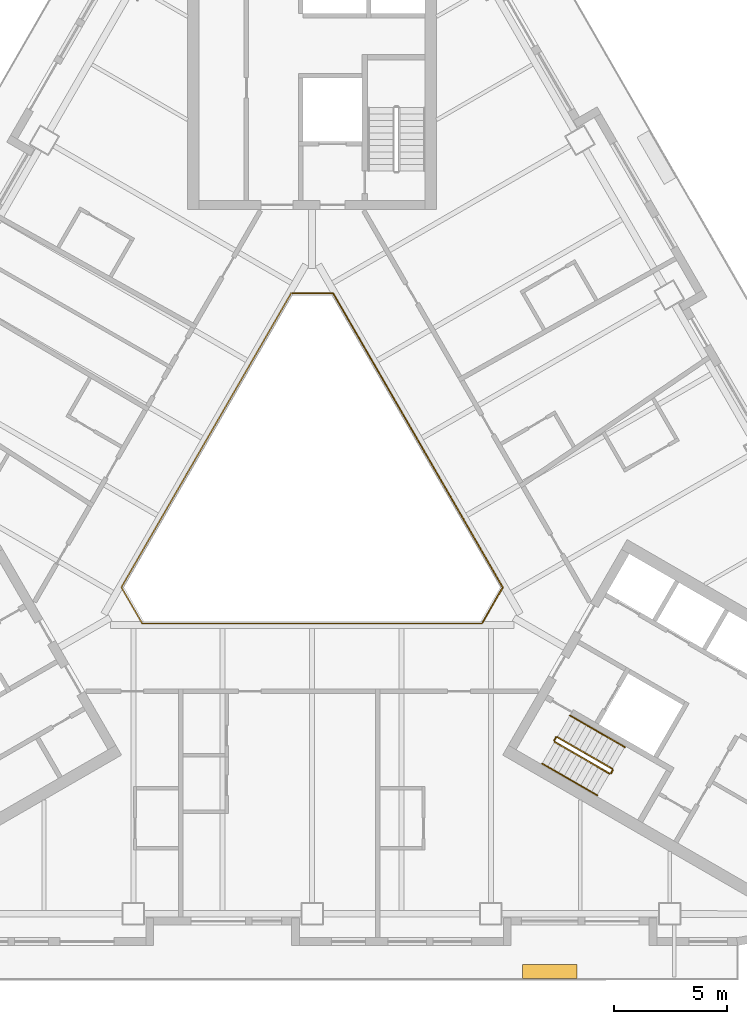
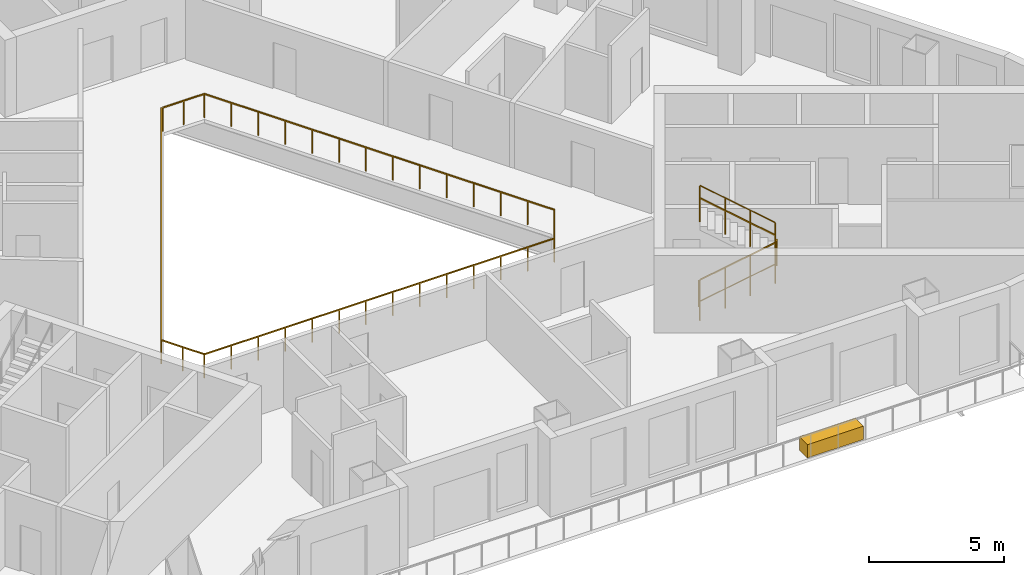
# One storey, part 11 of 13: 8 railings, 1 covering.
"""IFC4 building model written with IfcOpenShell, lengths in metres."""

from ifc_helpers import new_model, si_unit, direction, frame, origin, origin_2d, place, context, subcontext, project, spatial, rectangle, circle, extrude, material, type_object, element, save


model = new_model("IFC4")

# Units and contexts
model_context = context("Model", 3, precision=1e-05, world=origin(), true_north=direction((0.0, 1.0)))
body_context = subcontext(model_context, "Body", "Model", "MODEL_VIEW")
ifc_project = project(units=[si_unit("LENGTHUNIT", "METRE"), si_unit("AREAUNIT", "SQUARE_METRE"), si_unit("VOLUMEUNIT", "CUBIC_METRE"), si_unit("PLANEANGLEUNIT", "RADIAN"), si_unit("MASSUNIT", "GRAM", prefix="KILO")], contexts=[model_context])

# Site, building, storey
site_placement = place(None, origin())
site = spatial("IfcSite", under=ifc_project, at=site_placement, CompositionType="ELEMENT")
building_placement = place(site_placement, origin())
building = spatial("IfcBuilding", under=site, at=building_placement, Name="Apuvela Tower Hotel", CompositionType="ELEMENT")
storey_placement = place(building_placement, frame((0.0, 0.0, 57.60009765625)))
storey = spatial("IfcBuildingStorey", under=building, at=storey_placement, Name="L11", CompositionType="ELEMENT", Elevation=57.60009765625)

# Railings
ifc_material_1 = material(Name="Steel S275 balustrade", Category="steel")
railing_type_1 = type_object("IfcRailingType", Name="COR-GUARD-1100", PredefinedType="GUARDRAIL", material=ifc_material_1)
railing_1_placement = place(storey_placement, frame((10.718994140625, -10.63427734375, 0.16796875)))
element("IfcRailing", 1, at=railing_1_placement, inside=storey, type_object=railing_type_1, Name="L11 ST3 stair guard 1", PredefinedType="GUARDRAIL", context=body_context, shape_type="SweptSolid", body=[
    extrude(rectangle(XDim=0.048095703125, YDim=0.048095703125, at=origin_2d()), frame((0.0, 0.0, 1.076171875), z_axis=(0.742390482028, -0.42860119049, 0.514934356695), x_axis=(0.49998411664, 0.866034573852, 0.0)), (0.0, 0.0, 1.0), 3.26611328125),
    extrude(rectangle(XDim=0.0419921875, YDim=0.0419921875, at=origin_2d()), origin(), (0.0, 0.0, 1.0), 1.052001953125),
    extrude(rectangle(XDim=0.0419921875, YDim=0.0419921875, at=origin_2d()), frame((0.808349609375, -0.466552734375, 0.560546875)), (0.0, 0.0, 1.0), 1.052001953125),
    extrude(rectangle(XDim=0.0419921875, YDim=0.0419921875, at=origin_2d()), frame((1.616455078125, -0.933349609375, 1.121337890625)), (0.0, 0.0, 1.0), 1.052001953125),
    extrude(rectangle(XDim=0.0419921875, YDim=0.0419921875, at=origin_2d()), frame((2.4248046875, -1.39990234375, 1.681884765625)), (0.0, 0.0, 1.0), 1.052001953125),
])
railing_2_placement = place(storey_placement, frame((13.212158203125, -12.015869140625, 1.849853515625)))
element("IfcRailing", 2, at=railing_2_placement, inside=storey, type_object=railing_type_1, Name="L11 ST3 stair guard 2", PredefinedType="GUARDRAIL", context=body_context, shape_type="SweptSolid", body=[
    extrude(rectangle(XDim=0.048095703125, YDim=0.048095703125, at=origin_2d()), frame((0.0, 0.0, 1.076171875), z_axis=(0.499816412211, 0.866131372301, 0.0), x_axis=(-0.866131372301, 0.499816412211, 0.0)), (0.0, 0.0, 1.0), 0.14990234375),
    extrude(rectangle(XDim=0.0419921875, YDim=0.0419921875, at=origin_2d()), origin(), (0.0, 0.0, 1.0), 1.052001953125),
    extrude(rectangle(XDim=0.0419921875, YDim=0.0419921875, at=origin_2d()), frame((0.074951171875, 0.1298828125, 0.0)), (0.0, 0.0, 1.0), 1.052001953125),
])
railing_3_placement = place(storey_placement, frame((13.268798828125, -11.817626953125, 2.01806640625)))
element("IfcRailing", 3, at=railing_3_placement, inside=storey, type_object=railing_type_1, Name="L11 ST3 stair guard 3", PredefinedType="GUARDRAIL", context=body_context, shape_type="SweptSolid", body=[
    extrude(rectangle(XDim=0.048095703125, YDim=0.048095703125, at=origin_2d()), frame((0.0, 0.0, 1.076171875), z_axis=(-0.742390482028, 0.42860119049, 0.514934356695), x_axis=(-0.49998411664, -0.866034573852, 0.0)), (0.0, 0.0, 1.0), 3.26611328125),
    extrude(rectangle(XDim=0.0419921875, YDim=0.0419921875, at=origin_2d()), origin(), (0.0, 0.0, 1.0), 1.052001953125),
    extrude(rectangle(XDim=0.0419921875, YDim=0.0419921875, at=origin_2d()), frame((-0.808349609375, 0.466552734375, 0.560546875)), (0.0, 0.0, 1.0), 1.052001953125),
    extrude(rectangle(XDim=0.0419921875, YDim=0.0419921875, at=origin_2d()), frame((-1.616455078125, 0.933349609375, 1.121337890625)), (0.0, 0.0, 1.0), 1.052001953125),
    extrude(rectangle(XDim=0.0419921875, YDim=0.0419921875, at=origin_2d()), frame((-2.4248046875, 1.39990234375, 1.681884765625)), (0.0, 0.0, 1.0), 1.052001953125),
])
railing_4_placement = place(storey_placement, frame((10.70068359375, -10.56591796875, 0.0)))
element("IfcRailing", 4, at=railing_4_placement, inside=storey, type_object=railing_type_1, Name="L11 ST3 stair guard 4", PredefinedType="GUARDRAIL", context=body_context, shape_type="SweptSolid", body=[
    extrude(rectangle(XDim=0.048095703125, YDim=0.048095703125, at=origin_2d()), frame((0.0, 0.0, 1.076171875), z_axis=(0.499816412211, 0.866131372301, 0.0), x_axis=(-0.866131372301, 0.499816412211, 0.0)), (0.0, 0.0, 1.0), 0.14990234375),
    extrude(rectangle(XDim=0.0419921875, YDim=0.0419921875, at=origin_2d()), origin(), (0.0, 0.0, 1.0), 1.052001953125),
    extrude(rectangle(XDim=0.0419921875, YDim=0.0419921875, at=origin_2d()), frame((0.074951171875, 0.1298828125, 0.0)), (0.0, 0.0, 1.0), 1.052001953125),
])
ifc_material_2 = material(Name="Stainless steel 316 handrail", Category="steel")
railing_type_2 = type_object("IfcRailingType", Name="COR-HANDRAIL-900", PredefinedType="HANDRAIL", material=ifc_material_2)
railing_5_placement = place(storey_placement, frame((10.1689453125, -11.5869140625, 0.16796875)))
element("IfcRailing", 5, at=railing_5_placement, inside=storey, type_object=railing_type_2, Name="L11 ST3 stair handrail 1", PredefinedType="HANDRAIL", context=body_context, shape_type="SweptSolid", body=[
    extrude(circle(Radius=0.02392578125, at=origin_2d()), frame((0.0, 0.0, 0.8759765625), z_axis=(0.742390482028, -0.42860119049, 0.514934356695), x_axis=(0.49998411664, 0.866034573852, 0.0)), (0.0, 0.0, 1.0), 3.26611328125),
    extrude(rectangle(XDim=0.0419921875, YDim=0.0419921875, at=origin_2d()), origin(), (0.0, 0.0, 1.0), 0.851806640625),
    extrude(rectangle(XDim=0.0419921875, YDim=0.0419921875, at=origin_2d()), frame((0.808349609375, -0.466552734375, 0.560546875)), (0.0, 0.0, 1.0), 0.851806640625),
    extrude(rectangle(XDim=0.0419921875, YDim=0.0419921875, at=origin_2d()), frame((1.616455078125, -0.933349609375, 1.121337890625)), (0.0, 0.0, 1.0), 0.851806640625),
    extrude(rectangle(XDim=0.0419921875, YDim=0.0419921875, at=origin_2d()), frame((2.4248046875, -1.39990234375, 1.681884765625)), (0.0, 0.0, 1.0), 0.851806640625),
])
railing_6_placement = place(storey_placement, frame((13.81884765625, -10.864990234375, 2.01806640625)))
element("IfcRailing", 6, at=railing_6_placement, inside=storey, type_object=railing_type_2, Name="L11 ST3 stair handrail 2", PredefinedType="HANDRAIL", context=body_context, shape_type="SweptSolid", body=[
    extrude(circle(Radius=0.02392578125, at=origin_2d()), frame((0.0, 0.0, 0.8759765625), z_axis=(-0.742390482028, 0.42860119049, 0.514934356695), x_axis=(-0.49998411664, -0.866034573852, 0.0)), (0.0, 0.0, 1.0), 3.26611328125),
    extrude(rectangle(XDim=0.0419921875, YDim=0.0419921875, at=origin_2d()), origin(), (0.0, 0.0, 1.0), 0.851806640625),
    extrude(rectangle(XDim=0.0419921875, YDim=0.0419921875, at=origin_2d()), frame((-0.808349609375, 0.466552734375, 0.560546875)), (0.0, 0.0, 1.0), 0.851806640625),
    extrude(rectangle(XDim=0.0419921875, YDim=0.0419921875, at=origin_2d()), frame((-1.616455078125, 0.933349609375, 1.121337890625)), (0.0, 0.0, 1.0), 0.851806640625),
    extrude(rectangle(XDim=0.0419921875, YDim=0.0419921875, at=origin_2d()), frame((-2.4248046875, 1.39990234375, 1.681884765625)), (0.0, 0.0, 1.0), 0.851806640625),
])
ifc_material_3 = material(Name="Stainless steel 316 rail with laminated glass infill", Category="steel")
railing_type_3 = type_object("IfcRailingType", Name="ENV-GUARD-1100", PredefinedType="GUARDRAIL", material=ifc_material_3)
railing_7_placement = place(storey_placement, frame((-0.923828125, 9.199951171875, 0.0)))
element("IfcRailing", 7, at=railing_7_placement, inside=storey, type_object=railing_type_3, Name="Atrium void guard A L11", PredefinedType="GUARDRAIL", context=body_context, shape_type="SweptSolid", body=[
    extrude(rectangle(XDim=0.050048828125, YDim=0.050048828125, at=origin_2d()), frame((0.0, 0.0, 1.0751953125), z_axis=(-0.499990886379, -0.866030665472, 0.0), x_axis=(0.866030665472, -0.499990886379, 0.0)), (0.0, 0.0, 1.0), 15.010986328125),
    extrude(rectangle(XDim=0.050048828125, YDim=0.050048828125, at=origin_2d()), frame((-7.50537109375, -13.0, 1.0751953125), z_axis=(0.499962699187, -0.866046938348, 0.0), x_axis=(0.866046938348, 0.499962699187, 0.0)), (0.0, 0.0, 1.0), 1.847412109375),
    extrude(rectangle(XDim=0.050048828125, YDim=0.050048828125, at=origin_2d()), frame((-6.581787109375, -14.599853515625, 1.0751953125), z_axis=(1.0, 0.0, 0.0), x_axis=(0.0, 1.0, 0.0)), (0.0, 0.0, 1.0), 15.01123046875),
    extrude(rectangle(XDim=0.0400390625, YDim=0.0400390625, at=origin_2d()), origin(), (0.0, 0.0, 1.0), 1.050048828125),
    extrude(rectangle(XDim=0.0400390625, YDim=0.0400390625, at=origin_2d()), frame((-0.577392578125, -1.0, 0.0)), (0.0, 0.0, 1.0), 1.050048828125),
    extrude(rectangle(XDim=0.0400390625, YDim=0.0400390625, at=origin_2d()), frame((-1.15478515625, -2.0, 0.0)), (0.0, 0.0, 1.0), 1.050048828125),
    extrude(rectangle(XDim=0.0400390625, YDim=0.0400390625, at=origin_2d()), frame((-1.73193359375, -3.0, 0.0)), (0.0, 0.0, 1.0), 1.050048828125),
    extrude(rectangle(XDim=0.0400390625, YDim=0.0400390625, at=origin_2d()), frame((-2.309326171875, -4.0, 0.0)), (0.0, 0.0, 1.0), 1.050048828125),
    extrude(rectangle(XDim=0.0400390625, YDim=0.0400390625, at=origin_2d()), frame((-2.88671875, -5.0, 0.0)), (0.0, 0.0, 1.0), 1.050048828125),
    extrude(rectangle(XDim=0.0400390625, YDim=0.0400390625, at=origin_2d()), frame((-3.464111328125, -6.0, 0.0)), (0.0, 0.0, 1.0), 1.050048828125),
    extrude(rectangle(XDim=0.0400390625, YDim=0.0400390625, at=origin_2d()), frame((-4.041259765625, -7.0, 0.0)), (0.0, 0.0, 1.0), 1.050048828125),
    extrude(rectangle(XDim=0.0400390625, YDim=0.0400390625, at=origin_2d()), frame((-4.61865234375, -8.0, 0.0)), (0.0, 0.0, 1.0), 1.050048828125),
    extrude(rectangle(XDim=0.0400390625, YDim=0.0400390625, at=origin_2d()), frame((-5.196044921875, -9.0, 0.0)), (0.0, 0.0, 1.0), 1.050048828125),
    extrude(rectangle(XDim=0.0400390625, YDim=0.0400390625, at=origin_2d()), frame((-5.7734375, -10.0, 0.0)), (0.0, 0.0, 1.0), 1.050048828125),
    extrude(rectangle(XDim=0.0400390625, YDim=0.0400390625, at=origin_2d()), frame((-6.3505859375, -11.0, 0.0)), (0.0, 0.0, 1.0), 1.050048828125),
    extrude(rectangle(XDim=0.0400390625, YDim=0.0400390625, at=origin_2d()), frame((-6.927978515625, -12.0, 0.0)), (0.0, 0.0, 1.0), 1.050048828125),
    extrude(rectangle(XDim=0.0400390625, YDim=0.0400390625, at=origin_2d()), frame((-7.50537109375, -13.0, 0.0)), (0.0, 0.0, 1.0), 1.050048828125),
    extrude(rectangle(XDim=0.0400390625, YDim=0.0400390625, at=origin_2d()), frame((-7.04345703125, -13.7998046875, 0.0)), (0.0, 0.0, 1.0), 1.050048828125),
    extrude(rectangle(XDim=0.0400390625, YDim=0.0400390625, at=origin_2d()), frame((-6.581787109375, -14.599853515625, 0.0)), (0.0, 0.0, 1.0), 1.050048828125),
    extrude(rectangle(XDim=0.0400390625, YDim=0.0400390625, at=origin_2d()), frame((-5.427001953125, -14.599853515625, 0.0)), (0.0, 0.0, 1.0), 1.050048828125),
    extrude(rectangle(XDim=0.0400390625, YDim=0.0400390625, at=origin_2d()), frame((-4.2724609375, -14.599853515625, 0.0)), (0.0, 0.0, 1.0), 1.050048828125),
    extrude(rectangle(XDim=0.0400390625, YDim=0.0400390625, at=origin_2d()), frame((-3.11767578125, -14.599853515625, 0.0)), (0.0, 0.0, 1.0), 1.050048828125),
    extrude(rectangle(XDim=0.0400390625, YDim=0.0400390625, at=origin_2d()), frame((-1.962890625, -14.599853515625, 0.0)), (0.0, 0.0, 1.0), 1.050048828125),
    extrude(rectangle(XDim=0.0400390625, YDim=0.0400390625, at=origin_2d()), frame((-0.808349609375, -14.599853515625, 0.0)), (0.0, 0.0, 1.0), 1.050048828125),
    extrude(rectangle(XDim=0.0400390625, YDim=0.0400390625, at=origin_2d()), frame((0.346435546875, -14.599853515625, 0.0)), (0.0, 0.0, 1.0), 1.050048828125),
    extrude(rectangle(XDim=0.0400390625, YDim=0.0400390625, at=origin_2d()), frame((1.501220703125, -14.599853515625, 0.0)), (0.0, 0.0, 1.0), 1.050048828125),
    extrude(rectangle(XDim=0.0400390625, YDim=0.0400390625, at=origin_2d()), frame((2.656005859375, -14.599853515625, 0.0)), (0.0, 0.0, 1.0), 1.050048828125),
    extrude(rectangle(XDim=0.0400390625, YDim=0.0400390625, at=origin_2d()), frame((3.810546875, -14.599853515625, 0.0)), (0.0, 0.0, 1.0), 1.050048828125),
    extrude(rectangle(XDim=0.0400390625, YDim=0.0400390625, at=origin_2d()), frame((4.96533203125, -14.599853515625, 0.0)), (0.0, 0.0, 1.0), 1.050048828125),
    extrude(rectangle(XDim=0.0400390625, YDim=0.0400390625, at=origin_2d()), frame((6.1201171875, -14.599853515625, 0.0)), (0.0, 0.0, 1.0), 1.050048828125),
    extrude(rectangle(XDim=0.0400390625, YDim=0.0400390625, at=origin_2d()), frame((7.274658203125, -14.599853515625, 0.0)), (0.0, 0.0, 1.0), 1.050048828125),
    extrude(rectangle(XDim=0.0400390625, YDim=0.0400390625, at=origin_2d()), frame((8.429443359375, -14.599853515625, 0.0)), (0.0, 0.0, 1.0), 1.050048828125),
])
railing_8_placement = place(storey_placement, frame((7.53564453125, -5.347900390625, 0.0)))
element("IfcRailing", 8, at=railing_8_placement, inside=storey, type_object=railing_type_3, Name="Atrium void guard B L11", PredefinedType="GUARDRAIL", context=body_context, shape_type="SweptSolid", body=[
    extrude(rectangle(XDim=0.050048828125, YDim=0.050048828125, at=origin_2d()), frame((0.0, 0.0, 1.0751953125), z_axis=(0.499958946799, 0.866049104564, 0.0), x_axis=(-0.866049104564, 0.499958946799, 0.0)), (0.0, 0.0, 1.0), 1.787353515625),
    extrude(rectangle(XDim=0.050048828125, YDim=0.050048828125, at=origin_2d()), frame((0.8935546875, 1.5478515625, 1.0751953125), z_axis=(-0.499990886379, 0.866030665472, 0.0), x_axis=(-0.866030665472, -0.499990886379, 0.0)), (0.0, 0.0, 1.0), 15.010986328125),
    extrude(rectangle(XDim=0.050048828125, YDim=0.050048828125, at=origin_2d()), frame((-6.61181640625, 14.5478515625, 1.0751953125), z_axis=(-1.0, 0.0, 0.0), x_axis=(0.0, -1.0, 0.0)), (0.0, 0.0, 1.0), 1.78759765625),
    extrude(rectangle(XDim=0.0400390625, YDim=0.0400390625, at=origin_2d()), origin(), (0.0, 0.0, 1.0), 1.050048828125),
    extrude(rectangle(XDim=0.0400390625, YDim=0.0400390625, at=origin_2d()), frame((0.44677734375, 0.77392578125, 0.0)), (0.0, 0.0, 1.0), 1.050048828125),
    extrude(rectangle(XDim=0.0400390625, YDim=0.0400390625, at=origin_2d()), frame((0.8935546875, 1.5478515625, 0.0)), (0.0, 0.0, 1.0), 1.050048828125),
    extrude(rectangle(XDim=0.0400390625, YDim=0.0400390625, at=origin_2d()), frame((0.316162109375, 2.5478515625, 0.0)), (0.0, 0.0, 1.0), 1.050048828125),
    extrude(rectangle(XDim=0.0400390625, YDim=0.0400390625, at=origin_2d()), frame((-0.26123046875, 3.5478515625, 0.0)), (0.0, 0.0, 1.0), 1.050048828125),
    extrude(rectangle(XDim=0.0400390625, YDim=0.0400390625, at=origin_2d()), frame((-0.83837890625, 4.5478515625, 0.0)), (0.0, 0.0, 1.0), 1.050048828125),
    extrude(rectangle(XDim=0.0400390625, YDim=0.0400390625, at=origin_2d()), frame((-1.415771484375, 5.5478515625, 0.0)), (0.0, 0.0, 1.0), 1.050048828125),
    extrude(rectangle(XDim=0.0400390625, YDim=0.0400390625, at=origin_2d()), frame((-1.9931640625, 6.5478515625, 0.0)), (0.0, 0.0, 1.0), 1.050048828125),
    extrude(rectangle(XDim=0.0400390625, YDim=0.0400390625, at=origin_2d()), frame((-2.570556640625, 7.5478515625, 0.0)), (0.0, 0.0, 1.0), 1.050048828125),
    extrude(rectangle(XDim=0.0400390625, YDim=0.0400390625, at=origin_2d()), frame((-3.147705078125, 8.5478515625, 0.0)), (0.0, 0.0, 1.0), 1.050048828125),
    extrude(rectangle(XDim=0.0400390625, YDim=0.0400390625, at=origin_2d()), frame((-3.72509765625, 9.5478515625, 0.0)), (0.0, 0.0, 1.0), 1.050048828125),
    extrude(rectangle(XDim=0.0400390625, YDim=0.0400390625, at=origin_2d()), frame((-4.302490234375, 10.5478515625, 0.0)), (0.0, 0.0, 1.0), 1.050048828125),
    extrude(rectangle(XDim=0.0400390625, YDim=0.0400390625, at=origin_2d()), frame((-4.8798828125, 11.5478515625, 0.0)), (0.0, 0.0, 1.0), 1.050048828125),
    extrude(rectangle(XDim=0.0400390625, YDim=0.0400390625, at=origin_2d()), frame((-5.45703125, 12.5478515625, 0.0)), (0.0, 0.0, 1.0), 1.050048828125),
    extrude(rectangle(XDim=0.0400390625, YDim=0.0400390625, at=origin_2d()), frame((-6.034423828125, 13.5478515625, 0.0)), (0.0, 0.0, 1.0), 1.050048828125),
    extrude(rectangle(XDim=0.0400390625, YDim=0.0400390625, at=origin_2d()), frame((-6.61181640625, 14.5478515625, 0.0)), (0.0, 0.0, 1.0), 1.050048828125),
    extrude(rectangle(XDim=0.0400390625, YDim=0.0400390625, at=origin_2d()), frame((-7.505615234375, 14.5478515625, 0.0)), (0.0, 0.0, 1.0), 1.050048828125),
    extrude(rectangle(XDim=0.0400390625, YDim=0.0400390625, at=origin_2d()), frame((-8.3994140625, 14.5478515625, 0.0)), (0.0, 0.0, 1.0), 1.050048828125),
])

# Covering
ifc_material_4 = material(Name="Planting substrate and soil, planted")
covering_type = type_object("IfcCoveringType", Name="ENV-PLANTER-2400x600", PredefinedType="USERDEFINED", material=ifc_material_4)
covering_placement = place(storey_placement, frame((10.5, -20.780029296875, -0.000244140625), z_axis=(0.0, 0.0, 1.0), x_axis=(1.0, 0.0, 0.0)))
element("IfcCovering", 9, at=covering_placement, inside=storey, type_object=covering_type, Name="Planter S2", ObjectType="PLANTER", PredefinedType="USERDEFINED", context=body_context, shape_type="SweptSolid", body=[
    extrude(rectangle(XDim=2.39990234375, YDim=0.60009765625, at=origin_2d()), origin(), (0.0, 0.0, 1.0), 0.60009765625),
])

save(model, "model.ifc")
